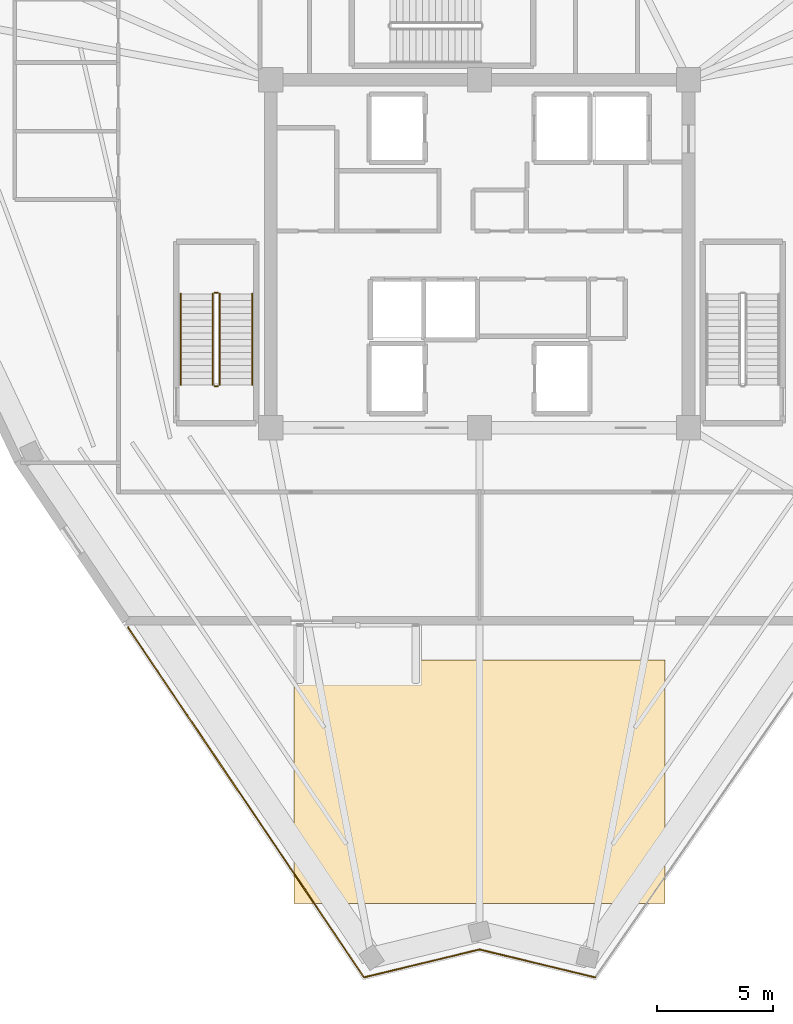
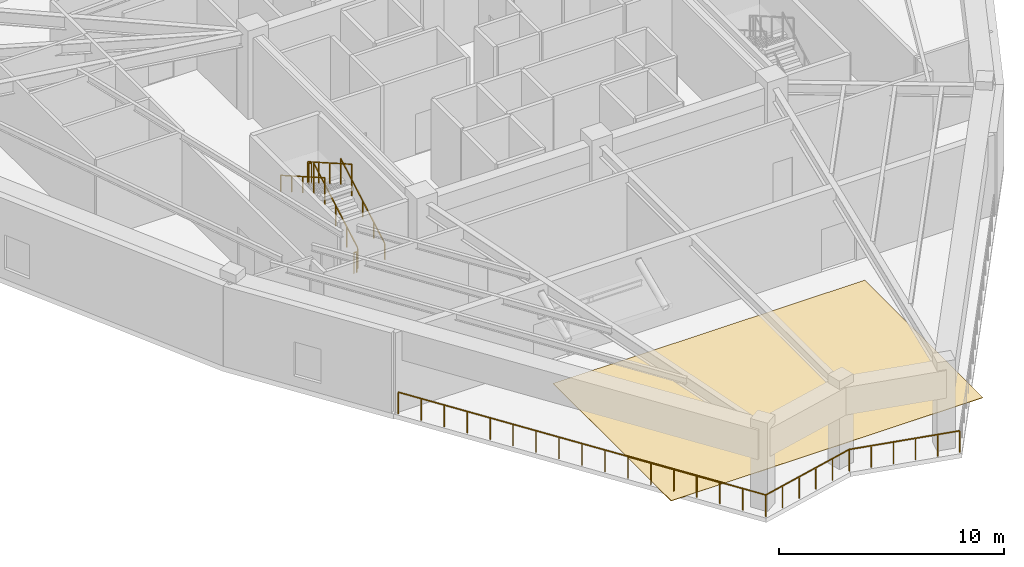
# One storey, part 9 of 12: 9 railings, 1 covering.
"""IFC4 building model written with IfcOpenShell, lengths in metres."""

from ifc_helpers import new_model, si_unit, direction, frame, origin, origin_2d, place, context, subcontext, project, spatial, polyline, rectangle, outline, extrude, material, layer, layer_set, type_object, element, save


model = new_model("IFC4")

# Units and contexts
model_context = context("Model", 3, precision=1e-05, world=origin(), true_north=direction((0.0, 1.0)))
body_context = subcontext(model_context, "Body", "Model", "MODEL_VIEW")
ifc_project = project(units=[si_unit("LENGTHUNIT", "METRE"), si_unit("AREAUNIT", "SQUARE_METRE"), si_unit("VOLUMEUNIT", "CUBIC_METRE"), si_unit("PLANEANGLEUNIT", "RADIAN"), si_unit("MASSUNIT", "GRAM", prefix="KILO")], contexts=[model_context])

# Site, building, storey
site_placement = place(None, origin())
site = spatial("IfcSite", under=ifc_project, at=site_placement, CompositionType="ELEMENT")
building_placement = place(site_placement, origin())
building = spatial("IfcBuilding", under=site, at=building_placement, Name="Liaohun Quay Tower", CompositionType="ELEMENT")
storey_placement = place(building_placement, frame((0.0, 0.0, 355.800048828125)))
storey = spatial("IfcBuildingStorey", under=building, at=storey_placement, Name="L92", CompositionType="ELEMENT", Elevation=355.800048828125)

# Covering
ifc_material_1 = material(Name="SBS waterproof membrane and extruded polystyrene insulation")
ifc_layer = layer(ifc_material_1, 0.030029296875, Name="SBS waterproof membrane and extruded polystyrene insulation")
ifc_layer_set = layer_set([ifc_layer], Name="SBS waterproof membrane and extruded polystyrene insulation")
covering_type = type_object("IfcCoveringType", Name="COV-ROOF-MEM", PredefinedType="ROOFING", material=ifc_layer_set)
covering_placement = place(storey_placement, frame((0.0, 0.0, -0.030029296875)))
element("IfcCovering", 1, at=covering_placement, inside=storey, type_object=covering_type, Name="L92 Lookout Terrace Waterproofing Membrane", PredefinedType="ROOFING", context=body_context, shape_type="SweptSolid", body=[
    extrude(outline(polyline([(52.0, 26.0), (68.0, 26.0), (68.0, 36.5), (52.0, 36.5), (52.0, 26.0)])), origin(), (0.0, 0.0, 1.0), 0.030029296875),
])

# Railings
ifc_material_2 = material(Name="Galvanised and powder-coated steel", Category="steel")
railing_type_1 = type_object("IfcRailingType", Name="RLG-GUARD-EXT", PredefinedType="GUARDRAIL", material=ifc_material_2)
railing_1_placement = place(storey_placement, frame((64.97802734375, 22.825927734375, 0.0)))
element("IfcRailing", 2, at=railing_1_placement, inside=storey, type_object=railing_type_1, Name="L92 L92 Observation Lookout Perimeter Balustrade 02", PredefinedType="GUARDRAIL", context=body_context, shape_type="SweptSolid", body=[
    extrude(rectangle(XDim=0.048095703125, YDim=0.048095703125, at=origin_2d()), frame((0.0, 0.0, 1.17578125), z_axis=(-0.972057455932, 0.234743056057, 0.0), x_axis=(-0.234743056057, -0.972057455932, 0.0)), (0.0, 0.0, 1.0), 5.12109375),
    extrude(rectangle(XDim=0.0419921875, YDim=0.0419921875, at=origin_2d()), origin(), (0.0, 0.0, 1.0), 1.15185546875),
    extrude(rectangle(XDim=0.0419921875, YDim=0.0419921875, at=origin_2d()), frame((-0.99560546875, 0.240478515625, 0.0)), (0.0, 0.0, 1.0), 1.15185546875),
    extrude(rectangle(XDim=0.0419921875, YDim=0.0419921875, at=origin_2d()), frame((-1.9912109375, 0.48095703125, 0.0)), (0.0, 0.0, 1.0), 1.15185546875),
    extrude(rectangle(XDim=0.0419921875, YDim=0.0419921875, at=origin_2d()), frame((-2.98681640625, 0.72119140625, 0.0)), (0.0, 0.0, 1.0), 1.15185546875),
    extrude(rectangle(XDim=0.0419921875, YDim=0.0419921875, at=origin_2d()), frame((-3.982421875, 0.961669921875, 0.0)), (0.0, 0.0, 1.0), 1.15185546875),
    extrude(rectangle(XDim=0.0419921875, YDim=0.0419921875, at=origin_2d()), frame((-4.97802734375, 1.2021484375, 0.0)), (0.0, 0.0, 1.0), 1.15185546875),
])
railing_2_placement = place(storey_placement, frame((60.0, 24.028076171875, 0.0)))
element("IfcRailing", 3, at=railing_2_placement, inside=storey, type_object=railing_type_1, Name="L92 L92 Observation Lookout Perimeter Balustrade 03", PredefinedType="GUARDRAIL", context=body_context, shape_type="SweptSolid", body=[
    extrude(rectangle(XDim=0.048095703125, YDim=0.048095703125, at=origin_2d()), frame((0.0, 0.0, 1.17578125), z_axis=(-0.972090458949, -0.23460635034, 0.0), x_axis=(0.23460635034, -0.972090458949, 0.0)), (0.0, 0.0, 1.0), 5.119873046875),
    extrude(rectangle(XDim=0.0419921875, YDim=0.0419921875, at=origin_2d()), origin(), (0.0, 0.0, 1.0), 1.15185546875),
    extrude(rectangle(XDim=0.0419921875, YDim=0.0419921875, at=origin_2d()), frame((-0.995361328125, -0.240234375, 0.0)), (0.0, 0.0, 1.0), 1.15185546875),
    extrude(rectangle(XDim=0.0419921875, YDim=0.0419921875, at=origin_2d()), frame((-1.99072265625, -0.48046875, 0.0)), (0.0, 0.0, 1.0), 1.15185546875),
    extrude(rectangle(XDim=0.0419921875, YDim=0.0419921875, at=origin_2d()), frame((-2.986328125, -0.720703125, 0.0)), (0.0, 0.0, 1.0), 1.15185546875),
    extrude(rectangle(XDim=0.0419921875, YDim=0.0419921875, at=origin_2d()), frame((-3.981689453125, -0.9609375, 0.0)), (0.0, 0.0, 1.0), 1.15185546875),
    extrude(rectangle(XDim=0.0419921875, YDim=0.0419921875, at=origin_2d()), frame((-4.97705078125, -1.201171875, 0.0)), (0.0, 0.0, 1.0), 1.15185546875),
])
railing_3_placement = place(storey_placement, frame((55.02294921875, 22.826904296875, 0.0)))
element("IfcRailing", 4, at=railing_3_placement, inside=storey, type_object=railing_type_1, Name="L92 L92 Observation Lookout Perimeter Balustrade 04", PredefinedType="GUARDRAIL", context=body_context, shape_type="SweptSolid", body=[
    extrude(rectangle(XDim=0.048095703125, YDim=0.048095703125, at=origin_2d()), frame((0.0, 0.0, 1.17578125), z_axis=(-0.559197690421, 0.829034343696, 0.0), x_axis=(-0.829034343696, -0.559197690421, 0.0)), (0.0, 0.0, 1.0), 18.181396484375),
    extrude(rectangle(XDim=0.0419921875, YDim=0.0419921875, at=origin_2d()), origin(), (0.0, 0.0, 1.0), 1.15185546875),
    extrude(rectangle(XDim=0.0419921875, YDim=0.0419921875, at=origin_2d()), frame((-0.635498046875, 0.942138671875, 0.0)), (0.0, 0.0, 1.0), 1.15185546875),
    extrude(rectangle(XDim=0.0419921875, YDim=0.0419921875, at=origin_2d()), frame((-1.27099609375, 1.884033203125, 0.0)), (0.0, 0.0, 1.0), 1.15185546875),
    extrude(rectangle(XDim=0.0419921875, YDim=0.0419921875, at=origin_2d()), frame((-1.90625, 2.826171875, 0.0)), (0.0, 0.0, 1.0), 1.15185546875),
    extrude(rectangle(XDim=0.0419921875, YDim=0.0419921875, at=origin_2d()), frame((-2.541748046875, 3.768310546875, 0.0)), (0.0, 0.0, 1.0), 1.15185546875),
    extrude(rectangle(XDim=0.0419921875, YDim=0.0419921875, at=origin_2d()), frame((-3.17724609375, 4.710205078125, 0.0)), (0.0, 0.0, 1.0), 1.15185546875),
    extrude(rectangle(XDim=0.0419921875, YDim=0.0419921875, at=origin_2d()), frame((-3.8125, 5.65234375, 0.0)), (0.0, 0.0, 1.0), 1.15185546875),
    extrude(rectangle(XDim=0.0419921875, YDim=0.0419921875, at=origin_2d()), frame((-4.447998046875, 6.594482421875, 0.0)), (0.0, 0.0, 1.0), 1.15185546875),
    extrude(rectangle(XDim=0.0419921875, YDim=0.0419921875, at=origin_2d()), frame((-5.08349609375, 7.53662109375, 0.0)), (0.0, 0.0, 1.0), 1.15185546875),
    extrude(rectangle(XDim=0.0419921875, YDim=0.0419921875, at=origin_2d()), frame((-5.718994140625, 8.478515625, 0.0)), (0.0, 0.0, 1.0), 1.15185546875),
    extrude(rectangle(XDim=0.0419921875, YDim=0.0419921875, at=origin_2d()), frame((-6.3544921875, 9.420654296875, 0.0)), (0.0, 0.0, 1.0), 1.15185546875),
    extrude(rectangle(XDim=0.0419921875, YDim=0.0419921875, at=origin_2d()), frame((-6.98974609375, 10.36279296875, 0.0)), (0.0, 0.0, 1.0), 1.15185546875),
    extrude(rectangle(XDim=0.0419921875, YDim=0.0419921875, at=origin_2d()), frame((-7.625244140625, 11.3046875, 0.0)), (0.0, 0.0, 1.0), 1.15185546875),
    extrude(rectangle(XDim=0.0419921875, YDim=0.0419921875, at=origin_2d()), frame((-8.2607421875, 12.246826171875, 0.0)), (0.0, 0.0, 1.0), 1.15185546875),
    extrude(rectangle(XDim=0.0419921875, YDim=0.0419921875, at=origin_2d()), frame((-8.89599609375, 13.18896484375, 0.0)), (0.0, 0.0, 1.0), 1.15185546875),
    extrude(rectangle(XDim=0.0419921875, YDim=0.0419921875, at=origin_2d()), frame((-9.531494140625, 14.130859375, 0.0)), (0.0, 0.0, 1.0), 1.15185546875),
    extrude(rectangle(XDim=0.0419921875, YDim=0.0419921875, at=origin_2d()), frame((-10.1669921875, 15.072998046875, 0.0)), (0.0, 0.0, 1.0), 1.15185546875),
])
ifc_material_3 = material(Name="Painted tubular steel", Category="steel")
railing_type_2 = type_object("IfcRailingType", Name="RLG-GUARD-STR", PredefinedType="GUARDRAIL", material=ifc_material_3)
railing_4_placement = place(storey_placement, frame((48.81005859375, 48.35009765625, 0.159912109375)))
element("IfcRailing", 5, at=railing_4_placement, inside=storey, type_object=railing_type_2, Name="L92 ST-1 stair guard 1", PredefinedType="GUARDRAIL", context=body_context, shape_type="SweptSolid", body=[
    extrude(rectangle(XDim=0.048095703125, YDim=0.048095703125, at=origin_2d()), frame((0.0, 0.0, 1.1259765625), z_axis=(0.0, 0.868239814368, 0.496144761885), x_axis=(-1.0, 0.0, 0.0)), (0.0, 0.0, 1.0), 4.514892578125),
    extrude(rectangle(XDim=0.0419921875, YDim=0.0419921875, at=origin_2d()), origin(), (0.0, 0.0, 1.0), 1.101806640625),
    extrude(rectangle(XDim=0.0419921875, YDim=0.0419921875, at=origin_2d()), frame((0.0, 0.97998046875, 0.56005859375)), (0.0, 0.0, 1.0), 1.101806640625),
    extrude(rectangle(XDim=0.0419921875, YDim=0.0419921875, at=origin_2d()), frame((0.0, 1.9599609375, 1.1201171875)), (0.0, 0.0, 1.0), 1.101806640625),
    extrude(rectangle(XDim=0.0419921875, YDim=0.0419921875, at=origin_2d()), frame((0.0, 2.93994140625, 1.679931640625)), (0.0, 0.0, 1.0), 1.101806640625),
    extrude(rectangle(XDim=0.0419921875, YDim=0.0419921875, at=origin_2d()), frame((0.0, 3.919921875, 2.239990234375)), (0.0, 0.0, 1.0), 1.101806640625),
])
railing_5_placement = place(storey_placement, frame((48.72998046875, 52.320068359375, 2.39990234375)))
element("IfcRailing", 6, at=railing_5_placement, inside=storey, type_object=railing_type_2, Name="L92 ST-1 stair guard 2", PredefinedType="GUARDRAIL", context=body_context, shape_type="SweptSolid", body=[
    extrude(rectangle(XDim=0.048095703125, YDim=0.048095703125, at=origin_2d()), frame((0.0, 0.0, 1.1259765625), z_axis=(-1.0, 0.0, 0.0), x_axis=(0.0, -1.0, 0.0)), (0.0, 0.0, 1.0), 0.139892578125),
    extrude(rectangle(XDim=0.0419921875, YDim=0.0419921875, at=origin_2d()), origin(), (0.0, 0.0, 1.0), 1.101806640625),
    extrude(rectangle(XDim=0.0419921875, YDim=0.0419921875, at=origin_2d()), frame((-0.139892578125, 0.0, 0.0)), (0.0, 0.0, 1.0), 1.101806640625),
])
railing_6_placement = place(storey_placement, frame((48.510009765625, 52.27001953125, 2.56005859375)))
element("IfcRailing", 7, at=railing_6_placement, inside=storey, type_object=railing_type_2, Name="L92 ST-1 stair guard 3", PredefinedType="GUARDRAIL", context=body_context, shape_type="SweptSolid", body=[
    extrude(rectangle(XDim=0.048095703125, YDim=0.048095703125, at=origin_2d()), frame((0.0, 0.0, 1.1259765625), z_axis=(0.0, -0.868239814368, 0.496144761885), x_axis=(1.0, 0.0, 0.0)), (0.0, 0.0, 1.0), 4.514892578125),
    extrude(rectangle(XDim=0.0419921875, YDim=0.0419921875, at=origin_2d()), origin(), (0.0, 0.0, 1.0), 1.101806640625),
    extrude(rectangle(XDim=0.0419921875, YDim=0.0419921875, at=origin_2d()), frame((0.0, -0.97998046875, 0.56005859375)), (0.0, 0.0, 1.0), 1.101806640625),
    extrude(rectangle(XDim=0.0419921875, YDim=0.0419921875, at=origin_2d()), frame((0.0, -1.9599609375, 1.1201171875)), (0.0, 0.0, 1.0), 1.101806640625),
    extrude(rectangle(XDim=0.0419921875, YDim=0.0419921875, at=origin_2d()), frame((0.0, -2.93994140625, 1.679931640625)), (0.0, 0.0, 1.0), 1.101806640625),
    extrude(rectangle(XDim=0.0419921875, YDim=0.0419921875, at=origin_2d()), frame((0.0, -3.919921875, 2.239990234375)), (0.0, 0.0, 1.0), 1.101806640625),
])
railing_7_placement = place(storey_placement, frame((48.72998046875, 48.300048828125, 0.0)))
element("IfcRailing", 8, at=railing_7_placement, inside=storey, type_object=railing_type_2, Name="L92 ST-1 stair guard 4", PredefinedType="GUARDRAIL", context=body_context, shape_type="SweptSolid", body=[
    extrude(rectangle(XDim=0.048095703125, YDim=0.048095703125, at=origin_2d()), frame((0.0, 0.0, 1.1259765625), z_axis=(-1.0, 0.0, 0.0), x_axis=(0.0, -1.0, 0.0)), (0.0, 0.0, 1.0), 0.139892578125),
    extrude(rectangle(XDim=0.0419921875, YDim=0.0419921875, at=origin_2d()), origin(), (0.0, 0.0, 1.0), 1.101806640625),
    extrude(rectangle(XDim=0.0419921875, YDim=0.0419921875, at=origin_2d()), frame((-0.139892578125, 0.0, 0.0)), (0.0, 0.0, 1.0), 1.101806640625),
])
ifc_material_4 = material(Name="Brushed stainless steel", Category="steel")
railing_type_3 = type_object("IfcRailingType", Name="RLG-HND-STR", PredefinedType="HANDRAIL", material=ifc_material_4)
railing_8_placement = place(storey_placement, frame((50.199951171875, 48.35009765625, 0.159912109375)))
element("IfcRailing", 9, at=railing_8_placement, inside=storey, type_object=railing_type_3, Name="L92 ST-1 stair handrail 1", PredefinedType="HANDRAIL", context=body_context, shape_type="SweptSolid", body=[
    extrude(rectangle(XDim=0.048095703125, YDim=0.048095703125, at=origin_2d()), frame((0.0, 0.0, 0.8759765625), z_axis=(0.0, 0.868239814368, 0.496144761885), x_axis=(-1.0, 0.0, 0.0)), (0.0, 0.0, 1.0), 4.514892578125),
    extrude(rectangle(XDim=0.0419921875, YDim=0.0419921875, at=origin_2d()), origin(), (0.0, 0.0, 1.0), 0.851806640625),
    extrude(rectangle(XDim=0.0419921875, YDim=0.0419921875, at=origin_2d()), frame((0.0, 0.97998046875, 0.56005859375)), (0.0, 0.0, 1.0), 0.851806640625),
    extrude(rectangle(XDim=0.0419921875, YDim=0.0419921875, at=origin_2d()), frame((0.0, 1.9599609375, 1.1201171875)), (0.0, 0.0, 1.0), 0.851806640625),
    extrude(rectangle(XDim=0.0419921875, YDim=0.0419921875, at=origin_2d()), frame((0.0, 2.93994140625, 1.679931640625)), (0.0, 0.0, 1.0), 0.851806640625),
    extrude(rectangle(XDim=0.0419921875, YDim=0.0419921875, at=origin_2d()), frame((0.0, 3.919921875, 2.239990234375)), (0.0, 0.0, 1.0), 0.851806640625),
])
railing_9_placement = place(storey_placement, frame((47.1201171875, 52.27001953125, 2.56005859375)))
element("IfcRailing", 10, at=railing_9_placement, inside=storey, type_object=railing_type_3, Name="L92 ST-1 stair handrail 2", PredefinedType="HANDRAIL", context=body_context, shape_type="SweptSolid", body=[
    extrude(rectangle(XDim=0.048095703125, YDim=0.048095703125, at=origin_2d()), frame((0.0, 0.0, 0.8759765625), z_axis=(0.0, -0.868239814368, 0.496144761885), x_axis=(1.0, 0.0, 0.0)), (0.0, 0.0, 1.0), 4.514892578125),
    extrude(rectangle(XDim=0.0419921875, YDim=0.0419921875, at=origin_2d()), origin(), (0.0, 0.0, 1.0), 0.851806640625),
    extrude(rectangle(XDim=0.0419921875, YDim=0.0419921875, at=origin_2d()), frame((0.0, -0.97998046875, 0.56005859375)), (0.0, 0.0, 1.0), 0.851806640625),
    extrude(rectangle(XDim=0.0419921875, YDim=0.0419921875, at=origin_2d()), frame((0.0, -1.9599609375, 1.1201171875)), (0.0, 0.0, 1.0), 0.851806640625),
    extrude(rectangle(XDim=0.0419921875, YDim=0.0419921875, at=origin_2d()), frame((0.0, -2.93994140625, 1.679931640625)), (0.0, 0.0, 1.0), 0.851806640625),
    extrude(rectangle(XDim=0.0419921875, YDim=0.0419921875, at=origin_2d()), frame((0.0, -3.919921875, 2.239990234375)), (0.0, 0.0, 1.0), 0.851806640625),
])

save(model, "model.ifc")
